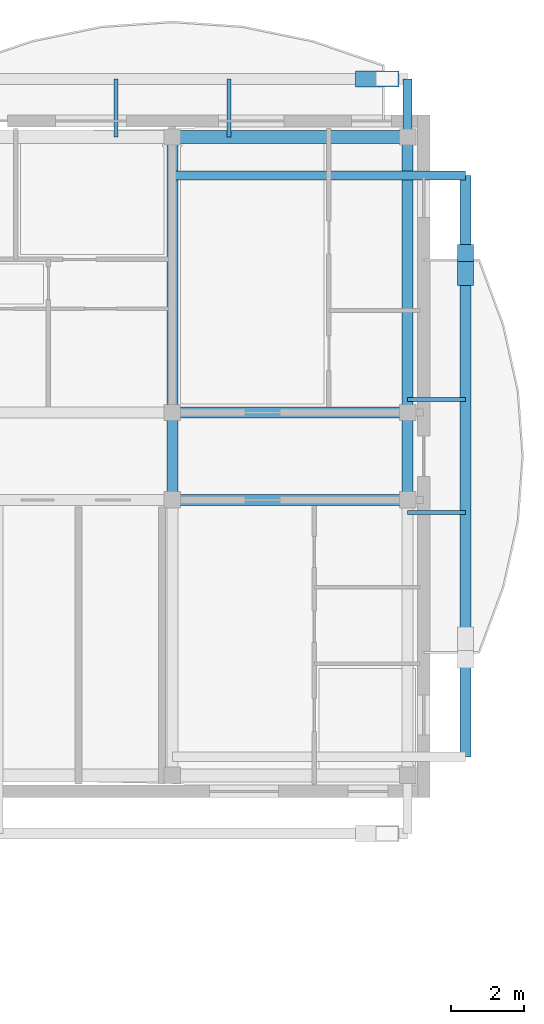
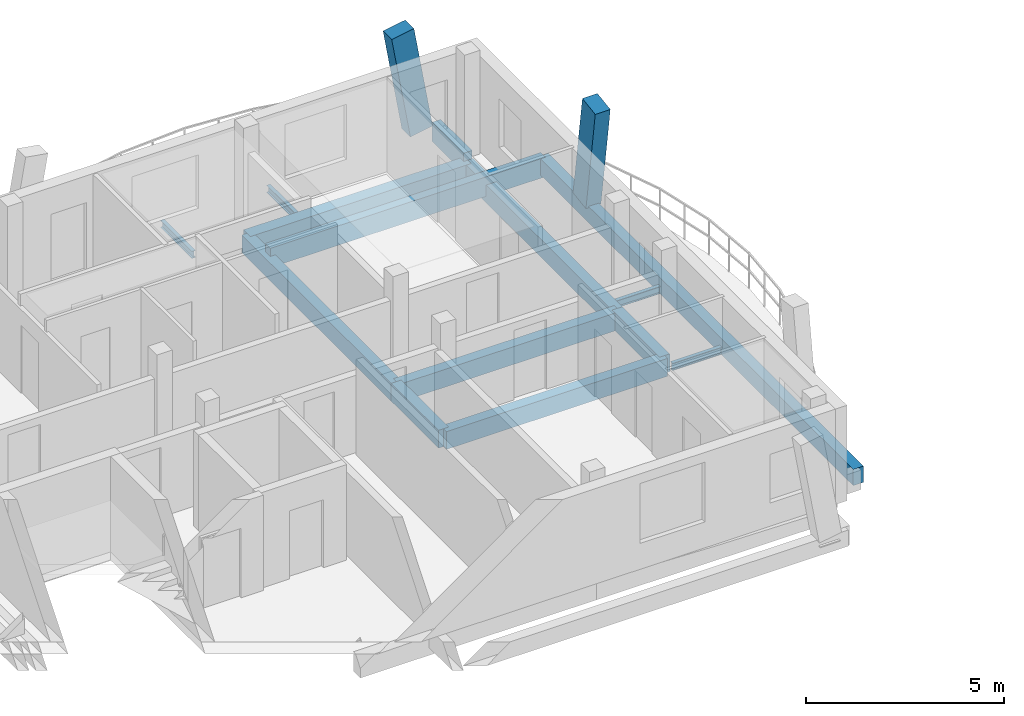
# One storey, part 7 of 44: 14 beams, 2 members.
"""IFC4 building model written with IfcOpenShell, lengths in metres."""

from ifc_helpers import new_model, si_unit, direction, frame, origin, origin_2d, place, context, subcontext, project, spatial, rectangle, i_section, extrude, material, material_profile, profile_set, type_object, element, save


model = new_model("IFC4")

# Units and contexts
model_context = context("Model", 3, precision=1e-05, world=origin(), true_north=direction((0.0, 1.0)))
body_context = subcontext(model_context, "Body", "Model", "MODEL_VIEW")
ifc_project = project(units=[si_unit("LENGTHUNIT", "METRE"), si_unit("AREAUNIT", "SQUARE_METRE"), si_unit("VOLUMEUNIT", "CUBIC_METRE"), si_unit("PLANEANGLEUNIT", "RADIAN"), si_unit("MASSUNIT", "GRAM", prefix="KILO")], contexts=[model_context])

# Site, building, storey
site_placement = place(None, origin())
site = spatial("IfcSite", under=ifc_project, at=site_placement, CompositionType="ELEMENT")
building_placement = place(site_placement, origin())
building = spatial("IfcBuilding", under=site, at=building_placement, Name="Zavelmont Quarter", CompositionType="ELEMENT")
storey_placement = place(building_placement, frame((0.0, 0.0, 20.800048828125)))
storey = spatial("IfcBuildingStorey", under=building, at=storey_placement, Name="L06", CompositionType="ELEMENT", Elevation=20.800048828125)

# Beams
ifc_material_1 = material(Name="Concrete C35/45", Category="concrete")
ifc_material_profile_1 = material_profile(ifc_material_1, rectangle(XDim=0.35009765625, YDim=0.60009765625, at=origin_2d()), Name="RC350X600")
ifc_profile_set_1 = profile_set([ifc_material_profile_1], Name="Concrete C35/45")
beam_type_1 = type_object("IfcBeamType", Name="BM01", PredefinedType="SPANDREL", material=ifc_profile_set_1)
beam_1_placement = place(storey_placement, frame((161.10009765625, 115.56005859375, -0.550048828125), z_axis=(1.0, 0.0, 0.0), x_axis=(0.0, 1.0, 0.0)))
element("IfcBeam", 1, at=beam_1_placement, inside=storey, type_object=beam_type_1, Name="L06 beam BM01 24/S to 25/S", PredefinedType="SPANDREL", context=body_context, shape_type="SweptSolid", body=[
    extrude(rectangle(XDim=0.35009765625, YDim=0.60009765625, at=origin_2d()), origin(), (0.0, 0.0, 1.0), 6.4599609375),
])
ifc_material_profile_2 = material_profile(ifc_material_1, rectangle(XDim=0.300048828125, YDim=0.550048828125, at=origin_2d()), Name="RC300X550")
ifc_profile_set_2 = profile_set([ifc_material_profile_2], Name="Concrete C35/45")
beam_type_2 = type_object("IfcBeamType", Name="BM02", PredefinedType="SPANDREL", material=ifc_profile_set_2)
for number, where, z_axis, x_axis, name in (
    (2, (161.10009765625, 105.60009765625, -0.525146484375), (1.0, 0.0, 0.0), (0.0, 1.0, 0.0), "L06 beam BM02 24/Q to 25/Q"),
    (3, (161.10009765625, 108.0, -0.525146484375), (1.0, 0.0, 0.0), (0.0, 1.0, 0.0), "L06 beam BM02 24/R to 25/R"),
):
    element("IfcBeam", number, at=place(storey_placement, frame(where, z_axis=z_axis, x_axis=x_axis)), inside=storey, type_object=beam_type_2, Name=name, PredefinedType="SPANDREL", context=body_context, shape_type="SweptSolid", body=[
        extrude(rectangle(XDim=0.300048828125, YDim=0.550048828125, at=origin_2d()), origin(), (0.0, 0.0, 1.0), 6.4599609375),
    ])
beam_2_placement = place(storey_placement, frame((161.10009765625, 105.60009765625, -0.525146484375), z_axis=(0.0, 1.0, 0.0), x_axis=(-1.0, 0.0, 0.0)))
element("IfcBeam", 4, at=beam_2_placement, inside=storey, type_object=beam_type_2, Name="L06 beam BM02 24/Q to 24/R", PredefinedType="SPANDREL", context=body_context, shape_type="SweptSolid", body=[
    extrude(rectangle(XDim=0.300048828125, YDim=0.550048828125, at=origin_2d()), origin(), (0.0, 0.0, 1.0), 2.39990234375),
])
beam_3_placement = place(storey_placement, frame((161.10009765625, 108.0, -0.525146484375), z_axis=(0.0, 1.0, 0.0), x_axis=(-1.0, 0.0, 0.0)))
element("IfcBeam", 5, at=beam_3_placement, inside=storey, type_object=beam_type_2, Name="L06 beam BM02 24/R to 24/S", PredefinedType="SPANDREL", context=body_context, shape_type="SweptSolid", body=[
    extrude(rectangle(XDim=0.300048828125, YDim=0.550048828125, at=origin_2d()), origin(), (0.0, 0.0, 1.0), 7.56005859375),
])
beam_4_placement = place(storey_placement, frame((167.56005859375, 105.60009765625, -0.525146484375), z_axis=(0.0, 1.0, 0.0), x_axis=(-1.0, 0.0, 0.0)))
element("IfcBeam", 6, at=beam_4_placement, inside=storey, type_object=beam_type_2, Name="L06 beam BM02 25/Q to 25/R", PredefinedType="SPANDREL", context=body_context, shape_type="SweptSolid", body=[
    extrude(rectangle(XDim=0.300048828125, YDim=0.550048828125, at=origin_2d()), origin(), (0.0, 0.0, 1.0), 2.39990234375),
])
beam_5_placement = place(storey_placement, frame((167.56005859375, 108.0, -0.525146484375), z_axis=(0.0, 1.0, 0.0), x_axis=(-1.0, 0.0, 0.0)))
element("IfcBeam", 7, at=beam_5_placement, inside=storey, type_object=beam_type_2, Name="L06 beam BM02 25/R to 25/S", PredefinedType="SPANDREL", context=body_context, shape_type="SweptSolid", body=[
    extrude(rectangle(XDim=0.300048828125, YDim=0.550048828125, at=origin_2d()), origin(), (0.0, 0.0, 1.0), 7.56005859375),
])
ifc_material_profile_3 = material_profile(ifc_material_1, rectangle(XDim=0.300048828125, YDim=0.5, at=origin_2d()), Name="RC300X500")
ifc_profile_set_3 = profile_set([ifc_material_profile_3], Name="Concrete C35/45")
beam_type_3 = type_object("IfcBeamType", Name="BM03", PredefinedType="BEAM", material=ifc_profile_set_3)
beam_6_placement = place(storey_placement, frame((169.14990234375, 98.550048828125, -0.25), z_axis=(0.0, 1.0, 0.0), x_axis=(-1.0, 0.0, 0.0)))
element("IfcBeam", 8, at=beam_6_placement, inside=storey, type_object=beam_type_3, Name="L06 beam BM03 25/P to 25/S", PredefinedType="BEAM", context=body_context, shape_type="SweptSolid", body=[
    extrude(rectangle(XDim=0.300048828125, YDim=0.5, at=origin_2d()), origin(), (0.0, 0.0, 1.0), 15.949951171875),
])
ifc_material_2 = material(Name="Steel S355", Category="steel")
ifc_material_profile_4 = material_profile(ifc_material_2, i_section(OverallWidth=0.110107421875, OverallDepth=0.219970703125, WebThickness=0.005859375, FlangeThickness=0.00927734375, at=origin_2d()), Name="IPE 220")
ifc_profile_set_4 = profile_set([ifc_material_profile_4], Name="Steel S355")
beam_type_4 = type_object("IfcBeamType", Name="BM15", PredefinedType="JOIST", material=ifc_profile_set_4)
for number, where, z_axis, x_axis, name in (
    (9, (159.550048828125, 115.56005859375, -0.362060546875), (0.0, 1.0, 0.0), (-1.0, 0.0, 0.0), "L06 beam BM15 24/S to 24/S"),
    (10, (162.64990234375, 115.56005859375, -0.362060546875), (0.0, 1.0, 0.0), (-1.0, 0.0, 0.0), "L06 beam BM15 24/S to 24/S"),
    (11, (167.56005859375, 105.25, -0.362060546875), (1.0, 0.0, 0.0), (0.0, 1.0, 0.0), "L06 beam BM15 25/Q to 25/Q"),
    (12, (167.56005859375, 108.35009765625, -0.362060546875), (1.0, 0.0, 0.0), (0.0, 1.0, 0.0), "L06 beam BM15 25/R to 25/R"),
):
    element("IfcBeam", number, at=place(storey_placement, frame(where, z_axis=z_axis, x_axis=x_axis)), inside=storey, type_object=beam_type_4, Name=name, PredefinedType="JOIST", context=body_context, shape_type="SweptSolid", body=[
        extrude(i_section(OverallWidth=0.110107421875, OverallDepth=0.219970703125, WebThickness=0.005859375, FlangeThickness=0.00927734375, at=origin_2d()), origin(), (0.0, 0.0, 1.0), 1.58984375),
    ])
ifc_material_3 = material(Name="Concrete C40/50", Category="concrete")
ifc_material_profile_5 = material_profile(ifc_material_3, rectangle(XDim=0.25, YDim=0.60009765625, at=origin_2d()), Name="RC250X600")
ifc_profile_set_5 = profile_set([ifc_material_profile_5], Name="Concrete C40/50")
beam_type_5 = type_object("IfcBeamType", Name="BM18", PredefinedType="BEAM", material=ifc_profile_set_5)
beam_7_placement = place(storey_placement, frame((167.56005859375, 115.56005859375, -0.300048828125), z_axis=(0.0, 1.0, 0.0), x_axis=(-1.0, 0.0, 0.0)))
element("IfcBeam", 13, at=beam_7_placement, inside=storey, type_object=beam_type_5, Name="L06 beam BM18 25/S to 25/S", PredefinedType="BEAM", context=body_context, shape_type="SweptSolid", body=[
    extrude(rectangle(XDim=0.25, YDim=0.60009765625, at=origin_2d()), origin(), (0.0, 0.0, 1.0), 1.58984375),
])
beam_8_placement = place(storey_placement, frame((161.10009765625, 114.5, -0.300048828125), z_axis=(1.0, 0.0, 0.0), x_axis=(0.0, 1.0, 0.0)))
element("IfcBeam", 14, at=beam_8_placement, inside=storey, type_object=beam_type_5, Name="L06 beam BM18 24/S to 25/S", PredefinedType="BEAM", context=body_context, shape_type="SweptSolid", body=[
    extrude(rectangle(XDim=0.25, YDim=0.60009765625, at=origin_2d()), origin(), (0.0, 0.0, 1.0), 8.0498046875),
])

# Members
ifc_material_4 = material(Name="White architectural precast concrete C40/50", Category="concrete")
ifc_material_profile_6 = material_profile(ifc_material_4, rectangle(XDim=0.43994140625, YDim=0.659912109375, at=origin_2d()), Name="PCR320X480")
ifc_profile_set_6 = profile_set([ifc_material_profile_6], Name="White architectural precast concrete C40/50")
member_type = type_object("IfcMemberType", Name="VR01M", PredefinedType="CHORD", material=ifc_profile_set_6)
member_1_placement = place(storey_placement, frame((166.99609375, 117.14990234375, 0.0), z_axis=(-0.168458650753, 0.0, 0.985708721168), x_axis=(0.0, -1.0, 0.0)))
element("IfcMember", 15, at=member_1_placement, inside=storey, type_object=member_type, Name="L06 member VR01M 25/S to 25/S", PredefinedType="CHORD", context=body_context, shape_type="SweptSolid", body=[
    extrude(rectangle(XDim=0.43994140625, YDim=0.659912109375, at=origin_2d()), origin(), (0.0, 0.0, 1.0), 3.246337890625),
])
member_2_placement = place(storey_placement, frame((169.14990234375, 112.283935546875, 0.0), z_axis=(0.0, -0.146121928306, 0.989266587967), x_axis=(1.0, 0.0, 0.0)))
element("IfcMember", 16, at=member_2_placement, inside=storey, type_object=member_type, Name="L06 member VR01M 25/S to 25/R", PredefinedType="CHORD", context=body_context, shape_type="SweptSolid", body=[
    extrude(rectangle(XDim=0.43994140625, YDim=0.659912109375, at=origin_2d()), origin(), (0.0, 0.0, 1.0), 3.234619140625),
])

save(model, "model.ifc")
